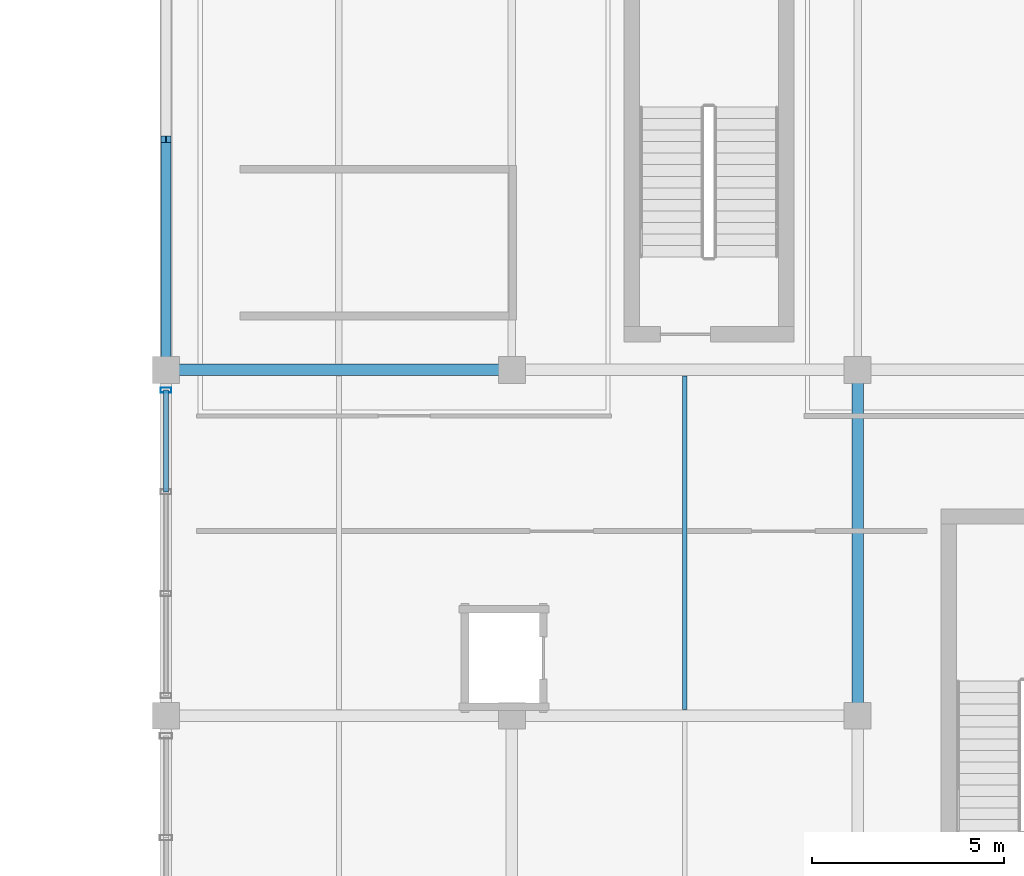
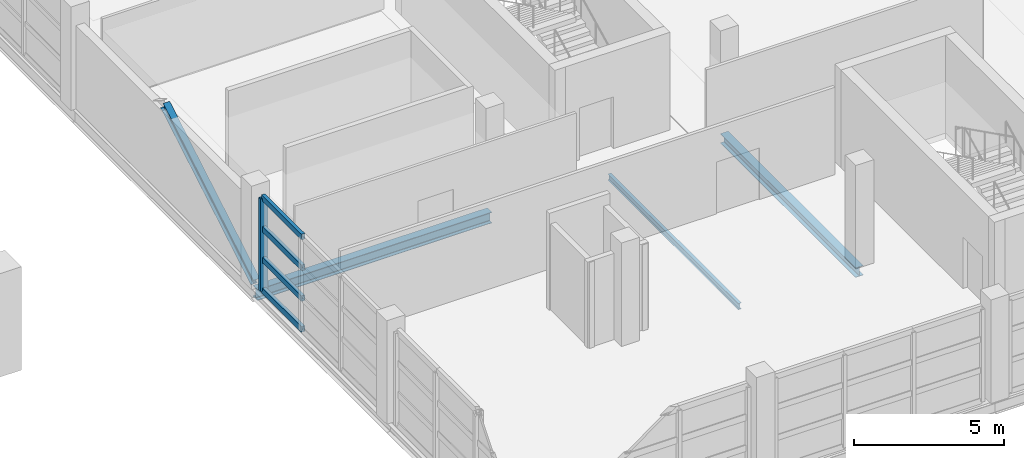
# One storey, part 59 of 136: 6 members, 3 beams, 1 element without a shape of its own.
"""IFC4 building model written with IfcOpenShell, lengths in metres."""

from ifc_helpers import new_model, si_unit, direction, frame, origin, origin_2d, place, context, subcontext, project, spatial, hollow_rectangle, i_section, extrude, material, material_profile, profile_set, type_object, element, aggregate, save


model = new_model("IFC4")

# Units and contexts
model_context = context("Model", 3, precision=1e-05, world=origin(), true_north=direction((0.0, 1.0)))
body_context = subcontext(model_context, "Body", "Model", "MODEL_VIEW")
ifc_project = project(units=[si_unit("LENGTHUNIT", "METRE"), si_unit("AREAUNIT", "SQUARE_METRE"), si_unit("VOLUMEUNIT", "CUBIC_METRE"), si_unit("PLANEANGLEUNIT", "RADIAN"), si_unit("MASSUNIT", "GRAM", prefix="KILO")], contexts=[model_context])

# Site, building, storey
site_placement = place(None, origin())
site = spatial("IfcSite", under=ifc_project, at=site_placement, CompositionType="ELEMENT")
building_placement = place(site_placement, origin())
building = spatial("IfcBuilding", under=site, at=building_placement, Name="Chuanluo Vaults Station", CompositionType="ELEMENT")
storey_placement = place(building_placement, frame((0.0, 0.0, 6.60009765625)))
storey = spatial("IfcBuildingStorey", under=building, at=storey_placement, Name="L01", CompositionType="ELEMENT", Elevation=6.60009765625)

# Beams
ifc_material_1 = material(Name="Steel Q355C", Category="steel")
ifc_material_profile_1 = material_profile(ifc_material_1, i_section(OverallWidth=0.300048828125, OverallDepth=0.389892578125, WebThickness=0.010009765625, FlangeThickness=0.01611328125, FilletRadius=0.02001953125, at=origin_2d()))
ifc_profile_set_1 = profile_set([ifc_material_profile_1], Name="Steel Q355C")
beam_type_1 = type_object("IfcBeamType", Name="BM-GRD-400", PredefinedType="BEAM", material=ifc_profile_set_1)
beam_1_placement = place(storey_placement, frame((154.0, 9.0, -0.43505859375), z_axis=(0.0, 1.0, 0.0), x_axis=(-1.0, 0.0, 0.0)))
element("IfcBeam", 1, at=beam_1_placement, inside=storey, type_object=beam_type_1, Name="Floor girder BM:GY:L01:0478", PredefinedType="BEAM", context=body_context, shape_type="SweptSolid", body=[
    extrude(i_section(OverallWidth=0.300048828125, OverallDepth=0.389892578125, WebThickness=0.010009765625, FlangeThickness=0.01611328125, FilletRadius=0.02001953125, at=origin_2d()), origin(), (0.0, 0.0, 1.0), 9.0),
])
ifc_material_2 = material(Name="Steel Q355C", Category="steel")
ifc_material_profile_2 = material_profile(ifc_material_2, i_section(OverallWidth=0.300048828125, OverallDepth=0.43994140625, WebThickness=0.010986328125, FlangeThickness=0.01806640625, FilletRadius=0.02001953125, at=origin_2d()))
ifc_profile_set_2 = profile_set([ifc_material_profile_2], Name="Steel Q355C")
beam_type_2 = type_object("IfcBeamType", Name="BM-GRD-450", PredefinedType="USERDEFINED", material=ifc_profile_set_2)
beam_2_placement = place(storey_placement, frame((136.0, 18.0, -0.460205078125), z_axis=(1.0, 0.0, 0.0), x_axis=(0.0, 1.0, 0.0)))
element("IfcBeam", 2, at=beam_2_placement, inside=storey, type_object=beam_type_2, Name="Floor girder BM:GX:L01:0296", ObjectType="GIRDER", PredefinedType="USERDEFINED", context=body_context, shape_type="SweptSolid", body=[
    extrude(i_section(OverallWidth=0.300048828125, OverallDepth=0.43994140625, WebThickness=0.010986328125, FlangeThickness=0.01806640625, FilletRadius=0.02001953125, at=origin_2d()), origin(), (0.0, 0.0, 1.0), 9.0),
])
ifc_material_3 = material(Name="Steel Q355C", Category="steel")
ifc_material_profile_3 = material_profile(ifc_material_3, i_section(OverallWidth=0.125, OverallDepth=0.25, WebThickness=0.006103515625, FlangeThickness=0.009033203125, FilletRadius=0.011962890625, at=origin_2d()))
ifc_profile_set_3 = profile_set([ifc_material_profile_3], Name="Steel Q355C")
beam_type_3 = type_object("IfcBeamType", Name="BM-SEC-250", PredefinedType="JOIST", material=ifc_profile_set_3)
beam_3_placement = place(storey_placement, frame((149.5, 9.155029296875, -0.364990234375), z_axis=(0.0, 1.0, 0.0), x_axis=(-1.0, 0.0, 0.0)))
element("IfcBeam", 3, at=beam_3_placement, inside=storey, type_object=beam_type_3, Name="Composite secondary joist 0159", PredefinedType="JOIST", context=body_context, shape_type="SweptSolid", body=[
    extrude(i_section(OverallWidth=0.125, OverallDepth=0.25, WebThickness=0.006103515625, FlangeThickness=0.009033203125, FilletRadius=0.011962890625, at=origin_2d()), origin(), (0.0, 0.0, 1.0), 8.68994140625),
])

# Curtain wall, members
ifc_material_4 = material(Name="Anodised aluminium 6063-T6", Category="aluminium")
curtain_wall_type = type_object("IfcCurtainWallType", Name="CW-SYS-06", PredefinedType="NOTDEFINED", material=ifc_material_4)
curtain_wall_placement = place(storey_placement, origin())
curtain_wall = element("IfcCurtainWall", 4, at=curtain_wall_placement, inside=storey, type_object=curtain_wall_type, Name="Retail pavilion L01 facade CW", PredefinedType="NOTDEFINED")
ifc_material_5 = material(Name="Anodised aluminium 6063-T6", Category="aluminium")
ifc_material_profile_4 = material_profile(ifc_material_5, hollow_rectangle(XDim=0.1298828125, YDim=0.280029296875, WallThickness=0.007080078125, at=origin_2d()))
ifc_profile_set_4 = profile_set([ifc_material_profile_4], Name="Anodised aluminium 6063-T6")
member_type_1 = type_object("IfcMemberType", Name="CWM-180", PredefinedType="MULLION", material=ifc_profile_set_4)
member_1_placement = place(storey_placement, frame((136.0, 17.47509765625, 0.0), z_axis=(0.0, 0.0, 1.0), x_axis=(0.0, 1.0, 0.0)))
member_1 = element("IfcMember", 5, at=member_1_placement, type_object=member_type_1, Name="Retail pavilion L01 facade CW mullion 4", PredefinedType="MULLION", context=body_context, shape_type="SweptSolid", body=[
    extrude(hollow_rectangle(XDim=0.1298828125, YDim=0.280029296875, WallThickness=0.007080078125, at=origin_2d()), origin(), (0.0, 0.0, 1.0), 3.75),
])
ifc_material_6 = material(Name="Anodised aluminium 6063-T6", Category="aluminium")
ifc_material_profile_5 = material_profile(ifc_material_6, hollow_rectangle(XDim=0.1298828125, YDim=0.22998046875, WallThickness=0.006103515625, at=origin_2d()))
ifc_profile_set_5 = profile_set([ifc_material_profile_5], Name="Anodised aluminium 6063-T6")
member_type_2 = type_object("IfcMemberType", Name="CWT-150", PredefinedType="USERDEFINED", material=ifc_profile_set_5)
member_2_placement = place(storey_placement, frame((136.0, 14.824951171875, 0.0), z_axis=(0.0, 1.0, 0.0), x_axis=(-1.0, 0.0, 0.0)))
member_2 = element("IfcMember", 6, at=member_2_placement, type_object=member_type_2, Name="Retail pavilion L01 facade CW transom 3.1", ObjectType="TRANSOM", PredefinedType="USERDEFINED", context=body_context, shape_type="SweptSolid", body=[
    extrude(hollow_rectangle(XDim=0.1298828125, YDim=0.22998046875, WallThickness=0.006103515625, at=origin_2d()), origin(), (0.0, 0.0, 1.0), 2.650146484375),
])
member_3_placement = place(storey_placement, frame((136.0, 14.824951171875, 1.25), z_axis=(0.0, 1.0, 0.0), x_axis=(-1.0, 0.0, 0.0)))
member_3 = element("IfcMember", 7, at=member_3_placement, type_object=member_type_2, Name="Retail pavilion L01 facade CW transom 3.2", ObjectType="TRANSOM", PredefinedType="USERDEFINED", context=body_context, shape_type="SweptSolid", body=[
    extrude(hollow_rectangle(XDim=0.1298828125, YDim=0.22998046875, WallThickness=0.006103515625, at=origin_2d()), origin(), (0.0, 0.0, 1.0), 2.650146484375),
])
member_4_placement = place(storey_placement, frame((136.0, 14.824951171875, 2.5), z_axis=(0.0, 1.0, 0.0), x_axis=(-1.0, 0.0, 0.0)))
member_4 = element("IfcMember", 8, at=member_4_placement, type_object=member_type_2, Name="Retail pavilion L01 facade CW transom 3.3", ObjectType="TRANSOM", PredefinedType="USERDEFINED", context=body_context, shape_type="SweptSolid", body=[
    extrude(hollow_rectangle(XDim=0.1298828125, YDim=0.22998046875, WallThickness=0.006103515625, at=origin_2d()), origin(), (0.0, 0.0, 1.0), 2.650146484375),
])
member_5_placement = place(storey_placement, frame((136.0, 14.824951171875, 3.75), z_axis=(0.0, 1.0, 0.0), x_axis=(-1.0, 0.0, 0.0)))
member_5 = element("IfcMember", 9, at=member_5_placement, type_object=member_type_2, Name="Retail pavilion L01 facade CW transom 3.4", ObjectType="TRANSOM", PredefinedType="USERDEFINED", context=body_context, shape_type="SweptSolid", body=[
    extrude(hollow_rectangle(XDim=0.1298828125, YDim=0.22998046875, WallThickness=0.006103515625, at=origin_2d()), origin(), (0.0, 0.0, 1.0), 2.650146484375),
])
aggregate(curtain_wall, [member_1, member_2, member_3, member_4, member_5])

# Member
ifc_material_7 = material(Name="Steel Q355C", Category="steel")
ifc_material_profile_6 = material_profile(ifc_material_7, i_section(OverallWidth=0.25, OverallDepth=0.340087890625, WebThickness=0.009033203125, FlangeThickness=0.013916015625, FilletRadius=0.01611328125, at=origin_2d()))
ifc_profile_set_6 = profile_set([ifc_material_profile_6], Name="Steel Q355C")
member_type_3 = type_object("IfcMemberType", Name="MEM-CBR-340", PredefinedType="BRACE", material=ifc_profile_set_6)
member_6_placement = place(storey_placement, frame((136.0, 18.0, 0.0), z_axis=(0.0, 0.860653108043, 0.50919173954), x_axis=(-1.0, 0.0, 0.0)))
element("IfcMember", 10, at=member_6_placement, inside=storey, type_object=member_type_3, Name="Lateral chevron brace 03", PredefinedType="BRACE", context=body_context, shape_type="SweptSolid", body=[
    extrude(i_section(OverallWidth=0.25, OverallDepth=0.340087890625, WebThickness=0.009033203125, FlangeThickness=0.013916015625, FilletRadius=0.01611328125, at=origin_2d()), origin(), (0.0, 0.0, 1.0), 6.971435546875),
])

save(model, "model.ifc")
